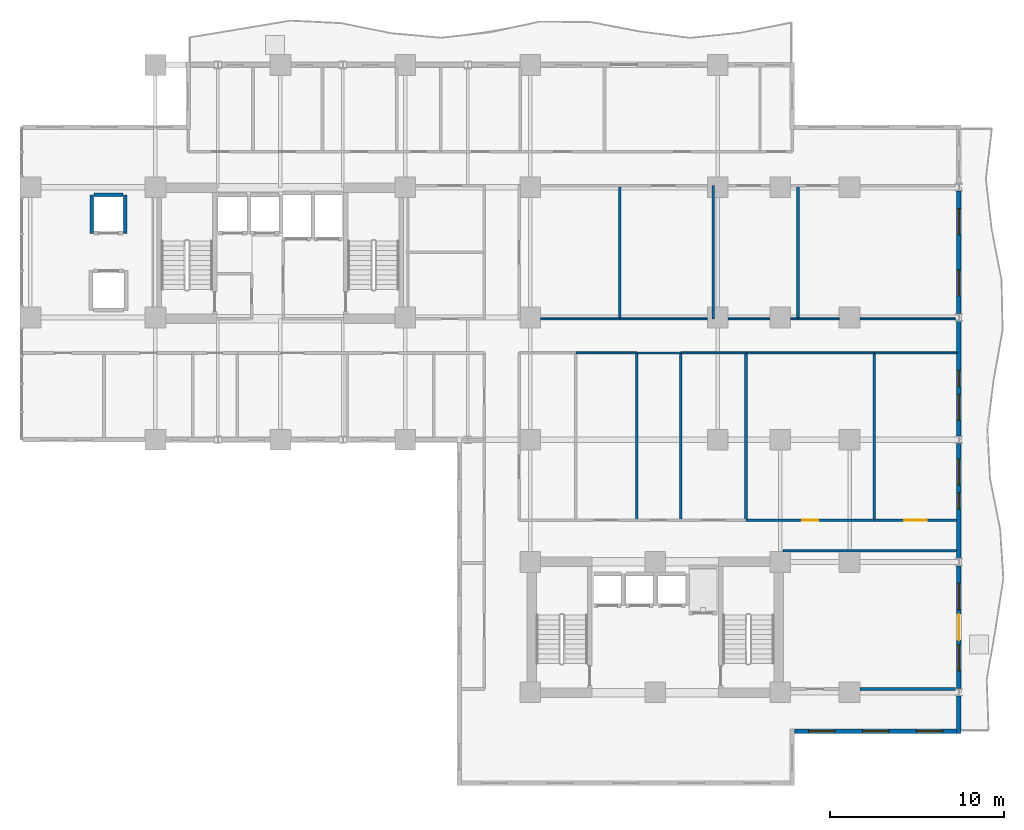
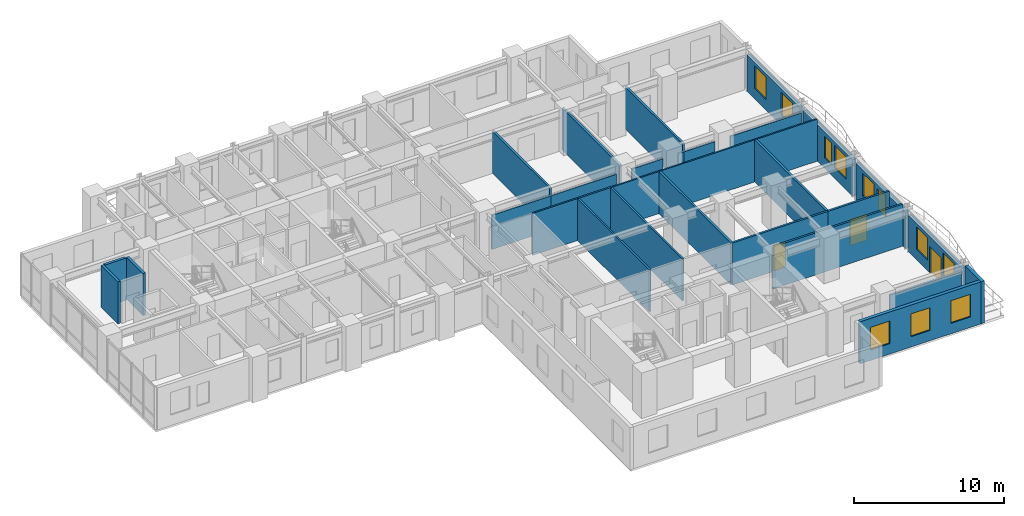
# One storey, part 11 of 18: 31 walls, 11 windows, 3 doors, 14 openings.
"""IFC4 building model written with IfcOpenShell, lengths in metres."""

from ifc_helpers import new_model, si_unit, direction, frame, frame_2d, origin, place, context, subcontext, project, spatial, rectangle, extrude, material, layer, layer_set, type_object, element, fill, save


model = new_model("IFC4")

# Units and contexts
model_context = context("Model", 3, precision=1e-05, world=origin(), true_north=direction((0.0, 1.0)))
body_context = subcontext(model_context, "Body", "Model", "MODEL_VIEW")
ifc_project = project(units=[si_unit("LENGTHUNIT", "METRE"), si_unit("AREAUNIT", "SQUARE_METRE"), si_unit("VOLUMEUNIT", "CUBIC_METRE"), si_unit("PLANEANGLEUNIT", "RADIAN"), si_unit("MASSUNIT", "GRAM", prefix="KILO")], contexts=[model_context])

# Site, building, storey
site_placement = place(None, origin())
site = spatial("IfcSite", under=ifc_project, at=site_placement, CompositionType="ELEMENT")
building_placement = place(site_placement, origin())
building = spatial("IfcBuilding", under=site, at=building_placement, Name="Kaliganga Portal Commons", CompositionType="ELEMENT")
storey_placement = place(building_placement, frame((0.0, 0.0, 123.0)))
storey = spatial("IfcBuildingStorey", under=building, at=storey_placement, Name="L31", CompositionType="ELEMENT", Elevation=123.0)

# Wall, openings, windows
ifc_material_1 = material(Name="Insulated Aluminium-Clad Spandrel Assembly", Category="aluminium")
ifc_layer_1 = layer(ifc_material_1, 0.260009765625)
ifc_layer_set_1 = layer_set([ifc_layer_1], Name="Insulated Aluminium-Clad Spandrel Assembly")
wall_type_1 = type_object("IfcWallType", Name="WL-EXT-SPAND-260", PredefinedType="STANDARD", material=ifc_layer_set_1)
wall_1_placement = place(storey_placement, frame((60.56494140625, 4.800048828125, 0.0), z_axis=(0.0, 0.0, 1.0), x_axis=(-1.0, 0.0, 0.0)))
wall_1 = element("IfcWall", 1, at=wall_1_placement, inside=storey, type_object=wall_type_1, Name="Exterior Envelope Wall L31 P1-E02-S1", PredefinedType="STANDARD", context=body_context, shape_type="SweptSolid", body=[
    extrude(rectangle(XDim=9.329833984375, YDim=0.260009765625, at=frame_2d((4.6650390625, 0.0))), origin(), (0.0, 0.0, 1.0), 3.429931640625),
])
opening_1_placement = place(wall_1_placement, frame((0.804931640625, 0.0, 0.85009765625)))
opening_1 = element("IfcOpeningElement", 2, at=opening_1_placement, cuts=wall_1, Name="Opening W-02", PredefinedType="OPENING", context=body_context, shape_type="SweptSolid", body=[
    extrude(rectangle(XDim=1.5, YDim=1.85009765625, at=frame_2d((0.75, 0.925048828125))), frame((0.0, 0.14013671875, 0.0), z_axis=(0.0, -1.0, 0.0), x_axis=(1.0, 0.0, 0.0)), (0.0, 0.0, 1.0), 0.280029296875),
])
opening_2_placement = place(wall_1_placement, frame((3.9150390625, 0.0, 0.85009765625)))
opening_2 = element("IfcOpeningElement", 3, at=opening_2_placement, cuts=wall_1, Name="Opening W-02", PredefinedType="OPENING", context=body_context, shape_type="SweptSolid", body=[
    extrude(rectangle(XDim=1.5, YDim=1.85009765625, at=frame_2d((0.75, 0.925048828125))), frame((0.0, 0.14013671875, 0.0), z_axis=(0.0, -1.0, 0.0), x_axis=(1.0, 0.0, 0.0)), (0.0, 0.0, 1.0), 0.280029296875),
])
opening_3_placement = place(wall_1_placement, frame((7.02490234375, 0.0, 0.85009765625)))
opening_3 = element("IfcOpeningElement", 4, at=opening_3_placement, cuts=wall_1, Name="Opening W-02", PredefinedType="OPENING", context=body_context, shape_type="SweptSolid", body=[
    extrude(rectangle(XDim=1.5, YDim=1.85009765625, at=frame_2d((0.75, 0.925048828125))), frame((0.0, 0.14013671875, 0.0), z_axis=(0.0, -1.0, 0.0), x_axis=(1.0, 0.0, 0.0)), (0.0, 0.0, 1.0), 0.280029296875),
])
ifc_material_2 = material(Name="Thermally Broken Aluminium and Low-E Double Glazing", Category="aluminium")
window_type_1 = type_object("IfcWindowType", Name="WIN-STD-1500", PartitioningType="DOUBLE_PANEL_VERTICAL", PredefinedType="WINDOW", material=ifc_material_2)
window_1_placement = place(opening_1_placement, origin())
window_1 = element("IfcWindow", 5, at=window_1_placement, inside=storey, type_object=window_type_1, Name="Facade Window L31-P1E02S1-00", OverallHeight=1.85009765625, OverallWidth=1.5, PartitioningType="SINGLE_PANEL", PredefinedType="WINDOW", context=body_context, shape_type="SweptSolid", body=[
    extrude(rectangle(XDim=1.5, YDim=1.85009765625, at=frame_2d((0.75, 0.925048828125))), frame((0.0, 0.030029296875, 0.0), z_axis=(0.0, -1.0, 0.0), x_axis=(1.0, 0.0, 0.0)), (0.0, 0.0, 1.0), 0.06005859375),
])
fill(opening_1, window_1)
window_2_placement = place(opening_2_placement, origin())
window_2 = element("IfcWindow", 6, at=window_2_placement, inside=storey, type_object=window_type_1, Name="Facade Window L31-P1E02S1-01", OverallHeight=1.85009765625, OverallWidth=1.5, PartitioningType="SINGLE_PANEL", PredefinedType="WINDOW", context=body_context, shape_type="SweptSolid", body=[
    extrude(rectangle(XDim=1.5, YDim=1.85009765625, at=frame_2d((0.75, 0.925048828125))), frame((0.0, 0.030029296875, 0.0), z_axis=(0.0, -1.0, 0.0), x_axis=(1.0, 0.0, 0.0)), (0.0, 0.0, 1.0), 0.06005859375),
])
fill(opening_2, window_2)
window_3_placement = place(opening_3_placement, origin())
window_3 = element("IfcWindow", 7, at=window_3_placement, inside=storey, type_object=window_type_1, Name="Facade Window L31-P1E02S1-02", OverallHeight=1.85009765625, OverallWidth=1.5, PartitioningType="SINGLE_PANEL", PredefinedType="WINDOW", context=body_context, shape_type="SweptSolid", body=[
    extrude(rectangle(XDim=1.5, YDim=1.85009765625, at=frame_2d((0.75, 0.925048828125))), frame((0.0, 0.030029296875, 0.0), z_axis=(0.0, -1.0, 0.0), x_axis=(1.0, 0.0, 0.0)), (0.0, 0.0, 1.0), 0.06005859375),
])
fill(opening_3, window_3)

# Wall
wall_2_placement = place(storey_placement, frame((60.699951171875, 6.833984375, 0.0), z_axis=(0.0, 0.0, 1.0), x_axis=(0.0, -1.0, 0.0)))
element("IfcWall", 8, at=wall_2_placement, inside=storey, type_object=wall_type_1, Name="Exterior Envelope Wall L31 P1-E03-S1", PredefinedType="STANDARD", context=body_context, shape_type="SweptSolid", body=[
    extrude(rectangle(XDim=2.1640625, YDim=0.260009765625, at=frame_2d((1.08203125, 0.0))), origin(), (0.0, 0.0, 1.0), 3.429931640625),
])

# Wall, openings, door, windows
wall_3_placement = place(storey_placement, frame((60.699951171875, 14.333984375, 0.0), z_axis=(0.0, 0.0, 1.0), x_axis=(0.0, -1.0, 0.0)))
wall_3 = element("IfcWall", 9, at=wall_3_placement, inside=storey, type_object=wall_type_1, Name="Exterior Envelope Wall L31 P1-E03-S2", PredefinedType="STANDARD", context=body_context, shape_type="SweptSolid", body=[
    extrude(rectangle(XDim=7.06787109375, YDim=0.260009765625, at=frame_2d((3.533935546875, 0.0))), origin(), (0.0, 0.0, 1.0), 2.97998046875),
])
opening_4_placement = place(wall_3_placement, frame((2.783935546875, 0.0, 0.0)))
opening_4 = element("IfcOpeningElement", 10, at=opening_4_placement, cuts=wall_3, Name="Opening BD-01", PredefinedType="OPENING", context=body_context, shape_type="SweptSolid", body=[
    extrude(rectangle(XDim=1.5, YDim=2.14990234375, at=frame_2d((0.75, 1.074951171875))), frame((0.0, 0.14013671875, 0.0), z_axis=(0.0, -1.0, 0.0), x_axis=(1.0, 0.0, 0.0)), (0.0, 0.0, 1.0), 0.280029296875),
])
opening_5_placement = place(wall_3_placement, frame((1.01708984375, 0.0, 0.85009765625)))
opening_5 = element("IfcOpeningElement", 11, at=opening_5_placement, cuts=wall_3, Name="Opening W-02", PredefinedType="OPENING", context=body_context, shape_type="SweptSolid", body=[
    extrude(rectangle(XDim=1.5, YDim=1.85009765625, at=frame_2d((0.75, 0.925048828125))), frame((0.0, 0.14013671875, 0.0), z_axis=(0.0, -1.0, 0.0), x_axis=(1.0, 0.0, 0.0)), (0.0, 0.0, 1.0), 0.280029296875),
])
opening_6_placement = place(wall_3_placement, frame((4.551025390625, 0.0, 0.85009765625)))
opening_6 = element("IfcOpeningElement", 12, at=opening_6_placement, cuts=wall_3, Name="Opening W-02", PredefinedType="OPENING", context=body_context, shape_type="SweptSolid", body=[
    extrude(rectangle(XDim=1.5, YDim=1.85009765625, at=frame_2d((0.75, 0.925048828125))), frame((0.0, 0.14013671875, 0.0), z_axis=(0.0, -1.0, 0.0), x_axis=(1.0, 0.0, 0.0)), (0.0, 0.0, 1.0), 0.280029296875),
])
ifc_material_3 = material(Name="Anodized Aluminium and Laminated Safety Glass", Category="aluminium")
door_type_1 = type_object("IfcDoorType", Name="DR-BALC-1500", OperationType="SLIDING_TO_LEFT", PredefinedType="DOOR", material=ifc_material_3)
door_1_placement = place(opening_4_placement, origin())
door_1 = element("IfcDoor", 13, at=door_1_placement, inside=storey, type_object=door_type_1, Name="Balcony Sliding Door L31 balc_east", OperationType="SLIDING_TO_LEFT", OverallHeight=2.14990234375, OverallWidth=1.5, PredefinedType="DOOR", context=body_context, shape_type="SweptSolid", body=[
    extrude(rectangle(XDim=1.5, YDim=2.14990234375, at=frame_2d((0.75, 1.074951171875))), frame((0.0, 0.02490234375, 0.0), z_axis=(0.0, -1.0, 0.0), x_axis=(1.0, 0.0, 0.0)), (0.0, 0.0, 1.0), 0.050048828125),
])
fill(opening_4, door_1)
window_4_placement = place(opening_5_placement, origin())
window_4 = element("IfcWindow", 14, at=window_4_placement, inside=storey, type_object=window_type_1, Name="Facade Window L31-P1E03S2-00", OverallHeight=1.85009765625, OverallWidth=1.5, PartitioningType="SINGLE_PANEL", PredefinedType="WINDOW", context=body_context, shape_type="SweptSolid", body=[
    extrude(rectangle(XDim=1.5, YDim=1.85009765625, at=frame_2d((0.75, 0.925048828125))), frame((0.0, 0.030029296875, 0.0), z_axis=(0.0, -1.0, 0.0), x_axis=(1.0, 0.0, 0.0)), (0.0, 0.0, 1.0), 0.06005859375),
])
fill(opening_5, window_4)
window_5_placement = place(opening_6_placement, origin())
window_5 = element("IfcWindow", 15, at=window_5_placement, inside=storey, type_object=window_type_1, Name="Facade Window L31-P1E03S2-01", OverallHeight=1.85009765625, OverallWidth=1.5, PartitioningType="SINGLE_PANEL", PredefinedType="WINDOW", context=body_context, shape_type="SweptSolid", body=[
    extrude(rectangle(XDim=1.5, YDim=1.85009765625, at=frame_2d((0.75, 0.925048828125))), frame((0.0, 0.030029296875, 0.0), z_axis=(0.0, -1.0, 0.0), x_axis=(1.0, 0.0, 0.0)), (0.0, 0.0, 1.0), 0.06005859375),
])
fill(opening_6, window_5)

# Wall, openings, windows
wall_4_placement = place(storey_placement, frame((60.699951171875, 21.384033203125, 0.0), z_axis=(0.0, 0.0, 1.0), x_axis=(0.0, -1.0, 0.0)))
wall_4 = element("IfcWall", 16, at=wall_4_placement, inside=storey, type_object=wall_type_1, Name="Exterior Envelope Wall L31 P1-E03-S3", PredefinedType="STANDARD", context=body_context, shape_type="SweptSolid", body=[
    extrude(rectangle(XDim=6.617919921875, YDim=0.260009765625, at=frame_2d((3.30908203125, 0.0))), origin(), (0.0, 0.0, 1.0), 2.97998046875),
])
opening_7_placement = place(wall_4_placement, frame((0.904541015625, 0.0, 0.85009765625)))
opening_7 = element("IfcOpeningElement", 17, at=opening_7_placement, cuts=wall_4, Name="Opening W-02", PredefinedType="OPENING", context=body_context, shape_type="SweptSolid", body=[
    extrude(rectangle(XDim=1.5, YDim=1.85009765625, at=frame_2d((0.75, 0.925048828125))), frame((0.0, 0.14013671875, 0.0), z_axis=(0.0, -1.0, 0.0), x_axis=(1.0, 0.0, 0.0)), (0.0, 0.0, 1.0), 0.280029296875),
])
opening_8_placement = place(wall_4_placement, frame((2.833984375, 0.0, 0.85009765625)))
opening_8 = element("IfcOpeningElement", 18, at=opening_8_placement, cuts=wall_4, Name="Opening W-04", PredefinedType="OPENING", context=body_context, shape_type="SweptSolid", body=[
    extrude(rectangle(XDim=0.949951171875, YDim=1.75, at=frame_2d((0.47509765625, 0.875))), frame((0.0, 0.14013671875, 0.0), z_axis=(0.0, -1.0, 0.0), x_axis=(1.0, 0.0, 0.0)), (0.0, 0.0, 1.0), 0.280029296875),
])
window_type_2 = type_object("IfcWindowType", Name="WIN-NARROW-950", PartitioningType="SINGLE_PANEL", PredefinedType="WINDOW", material=ifc_material_2)
window_6_placement = place(opening_8_placement, origin())
window_6 = element("IfcWindow", 19, at=window_6_placement, inside=storey, type_object=window_type_2, Name="Facade Window L31-P1E03S3-N0", OverallHeight=1.75, OverallWidth=0.949951171875, PartitioningType="SINGLE_PANEL", PredefinedType="WINDOW", context=body_context, shape_type="SweptSolid", body=[
    extrude(rectangle(XDim=0.949951171875, YDim=1.75, at=frame_2d((0.47509765625, 0.875))), frame((0.0, 0.030029296875, 0.0), z_axis=(0.0, -1.0, 0.0), x_axis=(1.0, 0.0, 0.0)), (0.0, 0.0, 1.0), 0.06005859375),
])
fill(opening_8, window_6)
window_7_placement = place(opening_7_placement, origin())
window_7 = element("IfcWindow", 20, at=window_7_placement, inside=storey, type_object=window_type_1, Name="Facade Window L31-P1E03S3-00", OverallHeight=1.85009765625, OverallWidth=1.5, PartitioningType="SINGLE_PANEL", PredefinedType="WINDOW", context=body_context, shape_type="SweptSolid", body=[
    extrude(rectangle(XDim=1.5, YDim=1.85009765625, at=frame_2d((0.75, 0.925048828125))), frame((0.0, 0.030029296875, 0.0), z_axis=(0.0, -1.0, 0.0), x_axis=(1.0, 0.0, 0.0)), (0.0, 0.0, 1.0), 0.06005859375),
])
fill(opening_7, window_7)

wall_5_placement = place(storey_placement, frame((60.699951171875, 28.43408203125, 0.0), z_axis=(0.0, 0.0, 1.0), x_axis=(0.0, -1.0, 0.0)))
wall_5 = element("IfcWall", 21, at=wall_5_placement, inside=storey, type_object=wall_type_1, Name="Exterior Envelope Wall L31 P1-E03-S4", PredefinedType="STANDARD", context=body_context, shape_type="SweptSolid", body=[
    extrude(rectangle(XDim=6.6181640625, YDim=0.260009765625, at=frame_2d((3.30908203125, 0.0))), origin(), (0.0, 0.0, 1.0), 2.97998046875),
])
opening_9_placement = place(wall_5_placement, frame((4.21337890625, 0.0, 0.85009765625)))
opening_9 = element("IfcOpeningElement", 22, at=opening_9_placement, cuts=wall_5, Name="Opening W-02", PredefinedType="OPENING", context=body_context, shape_type="SweptSolid", body=[
    extrude(rectangle(XDim=1.5, YDim=1.85009765625, at=frame_2d((0.75, 0.925048828125))), frame((0.0, 0.14013671875, 0.0), z_axis=(0.0, -1.0, 0.0), x_axis=(1.0, 0.0, 0.0)), (0.0, 0.0, 1.0), 0.280029296875),
])
opening_10_placement = place(wall_5_placement, frame((2.833984375, 0.0, 0.85009765625)))
opening_10 = element("IfcOpeningElement", 23, at=opening_10_placement, cuts=wall_5, Name="Opening W-04", PredefinedType="OPENING", context=body_context, shape_type="SweptSolid", body=[
    extrude(rectangle(XDim=0.949951171875, YDim=1.75, at=frame_2d((0.47509765625, 0.875))), frame((0.0, 0.14013671875, 0.0), z_axis=(0.0, -1.0, 0.0), x_axis=(1.0, 0.0, 0.0)), (0.0, 0.0, 1.0), 0.280029296875),
])
window_8_placement = place(opening_10_placement, origin())
window_8 = element("IfcWindow", 24, at=window_8_placement, inside=storey, type_object=window_type_2, Name="Facade Window L31-P1E03S4-N0", OverallHeight=1.75, OverallWidth=0.949951171875, PartitioningType="SINGLE_PANEL", PredefinedType="WINDOW", context=body_context, shape_type="SweptSolid", body=[
    extrude(rectangle(XDim=0.949951171875, YDim=1.75, at=frame_2d((0.47509765625, 0.875))), frame((0.0, 0.030029296875, 0.0), z_axis=(0.0, -1.0, 0.0), x_axis=(1.0, 0.0, 0.0)), (0.0, 0.0, 1.0), 0.06005859375),
])
fill(opening_10, window_8)
window_9_placement = place(opening_9_placement, origin())
window_9 = element("IfcWindow", 25, at=window_9_placement, inside=storey, type_object=window_type_1, Name="Facade Window L31-P1E03S4-01", OverallHeight=1.85009765625, OverallWidth=1.5, PartitioningType="SINGLE_PANEL", PredefinedType="WINDOW", context=body_context, shape_type="SweptSolid", body=[
    extrude(rectangle(XDim=1.5, YDim=1.85009765625, at=frame_2d((0.75, 0.925048828125))), frame((0.0, 0.030029296875, 0.0), z_axis=(0.0, -1.0, 0.0), x_axis=(1.0, 0.0, 0.0)), (0.0, 0.0, 1.0), 0.06005859375),
])
fill(opening_9, window_9)

wall_6_placement = place(storey_placement, frame((60.699951171875, 35.93408203125, 0.0), z_axis=(0.0, 0.0, 1.0), x_axis=(0.0, -1.0, 0.0)))
wall_6 = element("IfcWall", 26, at=wall_6_placement, inside=storey, type_object=wall_type_1, Name="Exterior Envelope Wall L31 P1-E03-S5", PredefinedType="STANDARD", context=body_context, shape_type="SweptSolid", body=[
    extrude(rectangle(XDim=7.068115234375, YDim=0.260009765625, at=frame_2d((3.5341796875, 0.0))), origin(), (0.0, 0.0, 1.0), 2.97998046875),
])
opening_11_placement = place(wall_6_placement, frame((1.01708984375, 0.0, 0.85009765625)))
opening_11 = element("IfcOpeningElement", 27, at=opening_11_placement, cuts=wall_6, Name="Opening W-02", PredefinedType="OPENING", context=body_context, shape_type="SweptSolid", body=[
    extrude(rectangle(XDim=1.5, YDim=1.85009765625, at=frame_2d((0.75, 0.925048828125))), frame((0.0, 0.14013671875, 0.0), z_axis=(0.0, -1.0, 0.0), x_axis=(1.0, 0.0, 0.0)), (0.0, 0.0, 1.0), 0.280029296875),
])
opening_12_placement = place(wall_6_placement, frame((4.551025390625, 0.0, 0.85009765625)))
opening_12 = element("IfcOpeningElement", 28, at=opening_12_placement, cuts=wall_6, Name="Opening W-02", PredefinedType="OPENING", context=body_context, shape_type="SweptSolid", body=[
    extrude(rectangle(XDim=1.5, YDim=1.85009765625, at=frame_2d((0.75, 0.925048828125))), frame((0.0, 0.14013671875, 0.0), z_axis=(0.0, -1.0, 0.0), x_axis=(1.0, 0.0, 0.0)), (0.0, 0.0, 1.0), 0.280029296875),
])
window_10_placement = place(opening_11_placement, origin())
window_10 = element("IfcWindow", 29, at=window_10_placement, inside=storey, type_object=window_type_1, Name="Facade Window L31-P1E03S5-00", OverallHeight=1.85009765625, OverallWidth=1.5, PartitioningType="SINGLE_PANEL", PredefinedType="WINDOW", context=body_context, shape_type="SweptSolid", body=[
    extrude(rectangle(XDim=1.5, YDim=1.85009765625, at=frame_2d((0.75, 0.925048828125))), frame((0.0, 0.030029296875, 0.0), z_axis=(0.0, -1.0, 0.0), x_axis=(1.0, 0.0, 0.0)), (0.0, 0.0, 1.0), 0.06005859375),
])
fill(opening_11, window_10)
window_11_placement = place(opening_12_placement, origin())
window_11 = element("IfcWindow", 30, at=window_11_placement, inside=storey, type_object=window_type_1, Name="Facade Window L31-P1E03S5-01", OverallHeight=1.85009765625, OverallWidth=1.5, PartitioningType="SINGLE_PANEL", PredefinedType="WINDOW", context=body_context, shape_type="SweptSolid", body=[
    extrude(rectangle(XDim=1.5, YDim=1.85009765625, at=frame_2d((0.75, 0.925048828125))), frame((0.0, 0.030029296875, 0.0), z_axis=(0.0, -1.0, 0.0), x_axis=(1.0, 0.0, 0.0)), (0.0, 0.0, 1.0), 0.06005859375),
])
fill(opening_12, window_11)

# Walls
ifc_material_4 = material(Name="Fire-Rated Gypsum Board on Steel Stud", Category="steel")
ifc_layer_2 = layer(ifc_material_4, 0.14990234375)
ifc_layer_set_2 = layer_set([ifc_layer_2], Name="Fire-Rated Gypsum Board on Steel Stud")
wall_type_2 = type_object("IfcWallType", Name="WL-PART-CORR-150", PredefinedType="PARTITIONING", material=ifc_layer_set_2)
wall_7_placement = place(storey_placement, frame((55.0, 7.239990234375, 0.0), z_axis=(0.0, 0.0, 1.0), x_axis=(1.0, 0.0, 0.0)))
element("IfcWall", 31, at=wall_7_placement, inside=storey, type_object=wall_type_2, Name="Interior Partition L31-002", PredefinedType="PARTITIONING", context=body_context, shape_type="SweptSolid", body=[
    extrude(rectangle(XDim=5.49560546875, YDim=0.14990234375, at=frame_2d((2.747802734375, 0.0))), origin(), (0.0, 0.0, 1.0), 2.780029296875),
])
wall_8_placement = place(storey_placement, frame((50.56005859375, 15.199951171875, 0.0), z_axis=(0.0, 0.0, 1.0), x_axis=(1.0, 0.0, 0.0)))
element("IfcWall", 32, at=wall_8_placement, inside=storey, type_object=wall_type_2, Name="Interior Partition L31-003", PredefinedType="PARTITIONING", context=body_context, shape_type="SweptSolid", body=[
    extrude(rectangle(XDim=10.008056640625, YDim=0.14990234375, at=frame_2d((5.00390625, 0.0))), origin(), (0.0, 0.0, 1.0), 3.429931640625),
])

# Wall, opening, door
wall_9_placement = place(storey_placement, frame((48.43994140625, 16.9599609375, 0.0), z_axis=(0.0, 0.0, 1.0), x_axis=(1.0, 0.0, 0.0)))
wall_9 = element("IfcWall", 33, at=wall_9_placement, inside=storey, type_object=wall_type_2, Name="Interior Partition L31-009", PredefinedType="PARTITIONING", context=body_context, shape_type="SweptSolid", body=[
    extrude(rectangle(XDim=7.380126953125, YDim=0.14990234375, at=frame_2d((3.68994140625, 0.0))), origin(), (0.0, 0.0, 1.0), 3.429931640625),
])
opening_13_placement = place(wall_9_placement, frame((3.239990234375, 0.0, 0.0)))
opening_13 = element("IfcOpeningElement", 34, at=opening_13_placement, cuts=wall_9, Name="Opening RD-01", PredefinedType="OPENING", context=body_context, shape_type="SweptSolid", body=[
    extrude(rectangle(XDim=0.89990234375, YDim=2.080078125, at=frame_2d((0.449951171875, 1.0400390625))), frame((0.0, 0.0849609375, 0.0), z_axis=(0.0, -1.0, 0.0), x_axis=(1.0, 0.0, 0.0)), (0.0, 0.0, 1.0), 0.169921875),
])
ifc_material_5 = material(Name="Engineered Timber Flush Door", Category="wood")
door_type_2 = type_object("IfcDoorType", Name="DR-ROOM-900", OperationType="NOTDEFINED", PredefinedType="DOOR", material=ifc_material_5)
door_2_placement = place(opening_13_placement, origin())
door_2 = element("IfcDoor", 35, at=door_2_placement, inside=storey, type_object=door_type_2, Name="Interior Door L31-BM05", OperationType="SINGLE_SWING_RIGHT", OverallHeight=2.080078125, OverallWidth=0.89990234375, PredefinedType="DOOR", context=body_context, shape_type="SweptSolid", body=[
    extrude(rectangle(XDim=0.89990234375, YDim=2.080078125, at=frame_2d((0.449951171875, 1.0400390625))), frame((0.0, 0.02490234375, 0.0), z_axis=(0.0, -1.0, 0.0), x_axis=(1.0, 0.0, 0.0)), (0.0, 0.0, 1.0), 0.050048828125),
])
fill(opening_13, door_2)

wall_10_placement = place(storey_placement, frame((55.820068359375, 16.9599609375, 0.0), z_axis=(0.0, 0.0, 1.0), x_axis=(1.0, 0.0, 0.0)))
wall_10 = element("IfcWall", 36, at=wall_10_placement, inside=storey, type_object=wall_type_2, Name="Interior Partition L31-018", PredefinedType="PARTITIONING", context=body_context, shape_type="SweptSolid", body=[
    extrude(rectangle(XDim=4.748046875, YDim=0.14990234375, at=frame_2d((2.3740234375, 0.0))), origin(), (0.0, 0.0, 1.0), 3.429931640625),
])
opening_14_placement = place(wall_10_placement, frame((1.72412109375, 0.0, 0.0)))
opening_14 = element("IfcOpeningElement", 37, at=opening_14_placement, cuts=wall_10, Name="Opening RD-03", PredefinedType="OPENING", context=body_context, shape_type="SweptSolid", body=[
    extrude(rectangle(XDim=1.300048828125, YDim=2.1201171875, at=frame_2d((0.64990234375, 1.06005859375))), frame((0.0, 0.0849609375, 0.0), z_axis=(0.0, -1.0, 0.0), x_axis=(1.0, 0.0, 0.0)), (0.0, 0.0, 1.0), 0.169921875),
])
ifc_material_6 = material(Name="Glazed Timber Seminar Vision Door", Category="wood")
door_type_3 = type_object("IfcDoorType", Name="DR-STUDY-1300", OperationType="DOUBLE_DOOR_SINGLE_SWING", PredefinedType="DOOR", material=ifc_material_6)
door_3_placement = place(opening_14_placement, origin())
door_3 = element("IfcDoor", 38, at=door_3_placement, inside=storey, type_object=door_type_3, Name="Interior Door L31-BM06", OperationType="DOUBLE_DOOR_SINGLE_SWING", OverallHeight=2.1201171875, OverallWidth=1.300048828125, PredefinedType="DOOR", context=body_context, shape_type="SweptSolid", body=[
    extrude(rectangle(XDim=1.300048828125, YDim=2.1201171875, at=frame_2d((0.64990234375, 1.06005859375))), frame((0.0, 0.02490234375, 0.0), z_axis=(0.0, -1.0, 0.0), x_axis=(1.0, 0.0, 0.0)), (0.0, 0.0, 1.0), 0.050048828125),
])
fill(opening_14, door_3)

# Walls
ifc_material_7 = material(Name="Moisture-Resistant Gypsum Partition", Category="gypsum")
ifc_layer_3 = layer(ifc_material_7, 0.114990234375)
ifc_layer_set_3 = layer_set([ifc_layer_3], Name="Moisture-Resistant Gypsum Partition")
wall_type_3 = type_object("IfcWallType", Name="WL-PART-ROOM-115", PredefinedType="PARTITIONING", material=ifc_layer_set_3)
wall_11_placement = place(storey_placement, frame((51.419921875, 28.56005859375, 0.0), z_axis=(0.0, 0.0, 1.0), x_axis=(1.0, 0.0, 0.0)))
element("IfcWall", 39, at=wall_11_placement, inside=storey, type_object=wall_type_3, Name="Interior Partition L31-048", PredefinedType="PARTITIONING", context=body_context, shape_type="SweptSolid", body=[
    extrude(rectangle(XDim=2.380126953125, YDim=0.114990234375, at=frame_2d((1.18994140625, 0.0))), origin(), (0.0, 0.0, 1.0), 2.780029296875),
])
wall_12_placement = place(storey_placement, frame((55.0, 28.56005859375, 0.0), z_axis=(0.0, 0.0, 1.0), x_axis=(1.0, 0.0, 0.0)))
element("IfcWall", 40, at=wall_12_placement, inside=storey, type_object=wall_type_3, Name="Interior Partition L31-049", PredefinedType="PARTITIONING", context=body_context, shape_type="SweptSolid", body=[
    extrude(rectangle(XDim=5.49560546875, YDim=0.114990234375, at=frame_2d((2.747802734375, 0.0))), origin(), (0.0, 0.0, 1.0), 2.780029296875),
])
wall_13_placement = place(storey_placement, frame((48.43994140625, 26.60009765625, 0.0), z_axis=(0.0, 0.0, 1.0), x_axis=(1.0, 0.0, 0.0)))
element("IfcWall", 41, at=wall_13_placement, inside=storey, type_object=wall_type_3, Name="Interior Partition L31-053", PredefinedType="PARTITIONING", context=body_context, shape_type="SweptSolid", body=[
    extrude(rectangle(XDim=7.380126953125, YDim=0.114990234375, at=frame_2d((3.68994140625, 0.0))), origin(), (0.0, 0.0, 1.0), 3.429931640625),
])
wall_14_placement = place(storey_placement, frame((36.60009765625, 28.56005859375, 0.0), z_axis=(0.0, 0.0, 1.0), x_axis=(1.0, 0.0, 0.0)))
element("IfcWall", 42, at=wall_14_placement, inside=storey, type_object=wall_type_3, Name="Interior Partition L31-054", PredefinedType="PARTITIONING", context=body_context, shape_type="SweptSolid", body=[
    extrude(rectangle(XDim=4.559814453125, YDim=0.114990234375, at=frame_2d((2.27978515625, 0.0))), origin(), (0.0, 0.0, 1.0), 2.780029296875),
])
wall_15_placement = place(storey_placement, frame((41.159912109375, 28.56005859375, 0.0), z_axis=(0.0, 0.0, 1.0), x_axis=(1.0, 0.0, 0.0)))
element("IfcWall", 43, at=wall_15_placement, inside=storey, type_object=wall_type_3, Name="Interior Partition L31-055", PredefinedType="PARTITIONING", context=body_context, shape_type="SweptSolid", body=[
    extrude(rectangle(XDim=5.0400390625, YDim=0.114990234375, at=frame_2d((2.52001953125, 0.0))), origin(), (0.0, 0.0, 1.0), 2.780029296875),
])
wall_16_placement = place(storey_placement, frame((55.820068359375, 26.60009765625, 0.0), z_axis=(0.0, 0.0, 1.0), x_axis=(1.0, 0.0, 0.0)))
element("IfcWall", 44, at=wall_16_placement, inside=storey, type_object=wall_type_3, Name="Interior Partition L31-070", PredefinedType="PARTITIONING", context=body_context, shape_type="SweptSolid", body=[
    extrude(rectangle(XDim=4.748046875, YDim=0.114990234375, at=frame_2d((2.3740234375, 0.0))), origin(), (0.0, 0.0, 1.0), 3.429931640625),
])
wall_17_placement = place(storey_placement, frame((47.39990234375, 28.56005859375, 0.0), z_axis=(0.0, 0.0, 1.0), x_axis=(1.0, 0.0, 0.0)))
element("IfcWall", 45, at=wall_17_placement, inside=storey, type_object=wall_type_3, Name="Interior Partition L31-071", PredefinedType="PARTITIONING", context=body_context, shape_type="SweptSolid", body=[
    extrude(rectangle(XDim=2.400146484375, YDim=0.114990234375, at=frame_2d((1.2001953125, 0.0))), origin(), (0.0, 0.0, 1.0), 2.780029296875),
])
wall_18_placement = place(storey_placement, frame((51.0, 28.56005859375, 0.0), z_axis=(0.0, 0.0, 1.0), x_axis=(1.0, 0.0, 0.0)))
element("IfcWall", 46, at=wall_18_placement, inside=storey, type_object=wall_type_3, Name="Interior Partition L31-072", PredefinedType="PARTITIONING", context=body_context, shape_type="SweptSolid", body=[
    extrude(rectangle(XDim=0.419921875, YDim=0.114990234375, at=frame_2d((0.2099609375, 0.0))), origin(), (0.0, 0.0, 1.0), 2.780029296875),
])
wall_19_placement = place(storey_placement, frame((44.679931640625, 26.60009765625, 0.0), z_axis=(0.0, 0.0, 1.0), x_axis=(1.0, 0.0, 0.0)))
element("IfcWall", 47, at=wall_19_placement, inside=storey, type_object=wall_type_3, Name="Interior Partition L31-075", PredefinedType="PARTITIONING", context=body_context, shape_type="SweptSolid", body=[
    extrude(rectangle(XDim=3.760009765625, YDim=0.114990234375, at=frame_2d((1.8798828125, 0.0))), origin(), (0.0, 0.0, 1.0), 3.429931640625),
])
wall_20_placement = place(storey_placement, frame((38.6201171875, 26.60009765625, 0.0), z_axis=(0.0, 0.0, 1.0), x_axis=(1.0, 0.0, 0.0)))
element("IfcWall", 48, at=wall_20_placement, inside=storey, type_object=wall_type_3, Name="Interior Partition L31-076", PredefinedType="PARTITIONING", context=body_context, shape_type="SweptSolid", body=[
    extrude(rectangle(XDim=3.519775390625, YDim=0.114990234375, at=frame_2d((1.759765625, 0.0))), origin(), (0.0, 0.0, 1.0), 3.429931640625),
])
ifc_material_8 = material(Name="Twin-Stud Acoustic Gypsum Partition", Category="gypsum")
ifc_layer_4 = layer(ifc_material_8, 0.1650390625)
ifc_layer_set_4 = layer_set([ifc_layer_4], Name="Twin-Stud Acoustic Gypsum Partition")
wall_type_4 = type_object("IfcWallType", Name="WL-PART-UNIT-165", PredefinedType="PARTITIONING", material=ifc_layer_set_4)
for number, where, z_axis, x_axis, name in (
    (49, (48.43994140625, 16.9599609375, 0.0), (0.0, 0.0, 1.0), (0.0, 1.0, 0.0), "Interior Partition L31-046"),
    (50, (55.820068359375, 16.9599609375, 0.0), (0.0, 0.0, 1.0), (0.0, 1.0, 0.0), "Interior Partition L31-047"),
):
    element("IfcWall", number, at=place(storey_placement, frame(where, z_axis=z_axis, x_axis=x_axis)), inside=storey, type_object=wall_type_4, Name=name, PredefinedType="PARTITIONING", context=body_context, shape_type="SweptSolid", body=[
        extrude(rectangle(XDim=9.64013671875, YDim=0.1650390625, at=frame_2d((4.820068359375, 0.0))), origin(), (0.0, 0.0, 1.0), 3.429931640625),
    ])
for number, where, z_axis, x_axis, name in (
    (51, (41.159912109375, 28.56005859375, 0.0), (0.0, 0.0, 1.0), (0.0, 1.0, 0.0), "Interior Partition L31-050"),
    (52, (46.5400390625, 28.56005859375, 0.0), (0.0, 0.0, 1.0), (0.0, 1.0, 0.0), "Interior Partition L31-051"),
    (53, (51.419921875, 28.56005859375, 0.0), (0.0, 0.0, 1.0), (0.0, 1.0, 0.0), "Interior Partition L31-052"),
):
    element("IfcWall", number, at=place(storey_placement, frame(where, z_axis=z_axis, x_axis=x_axis)), inside=storey, type_object=wall_type_4, Name=name, PredefinedType="PARTITIONING", context=body_context, shape_type="SweptSolid", body=[
        extrude(rectangle(XDim=7.679931640625, YDim=0.1650390625, at=frame_2d((3.83984375, 0.0))), origin(), (0.0, 0.0, 1.0), 3.429931640625),
    ])
ifc_material_9 = material(Name="Cement-Board Wet-Room Partition", Category="gypsum")
ifc_layer_5 = layer(ifc_material_9, 0.135009765625)
ifc_layer_set_5 = layer_set([ifc_layer_5], Name="Cement-Board Wet-Room Partition")
wall_type_5 = type_object("IfcWallType", Name="WL-PART-WET-135", PredefinedType="PARTITIONING", material=ifc_layer_set_5)
for number, where, z_axis, x_axis, name in (
    (54, (42.139892578125, 16.9599609375, 0.0), (0.0, 0.0, 1.0), (0.0, 1.0, 0.0), "Interior Partition L31-044"),
    (55, (44.679931640625, 16.9599609375, 0.0), (0.0, 0.0, 1.0), (0.0, 1.0, 0.0), "Interior Partition L31-045"),
):
    element("IfcWall", number, at=place(storey_placement, frame(where, z_axis=z_axis, x_axis=x_axis)), inside=storey, type_object=wall_type_5, Name=name, PredefinedType="PARTITIONING", context=body_context, shape_type="SweptSolid", body=[
        extrude(rectangle(XDim=9.64013671875, YDim=0.135009765625, at=frame_2d((4.820068359375, 0.0))), origin(), (0.0, 0.0, 1.0), 3.429931640625),
    ])
wall_21_placement = place(storey_placement, frame((42.139892578125, 26.60009765625, 0.0), z_axis=(0.0, 0.0, 1.0), x_axis=(1.0, 0.0, 0.0)))
element("IfcWall", 56, at=wall_21_placement, inside=storey, type_object=wall_type_5, Name="Interior Partition L31-079", PredefinedType="PARTITIONING", context=body_context, shape_type="SweptSolid", body=[
    extrude(rectangle(XDim=2.5400390625, YDim=0.135009765625, at=frame_2d((1.27001953125, 0.0))), origin(), (0.0, 0.0, 1.0), 3.429931640625),
])
ifc_material_10 = material(Name="Fire-Rated Shaftwall Masonry Assembly", Category="masonry")
ifc_layer_6 = layer(ifc_material_10, 0.199951171875)
ifc_layer_set_6 = layer_set([ifc_layer_6], Name="Fire-Rated Shaftwall Masonry Assembly")
wall_type_6 = type_object("IfcWallType", Name="WL-SHAFT-200", PredefinedType="PARTITIONING", material=ifc_layer_set_6)
wall_22_placement = place(storey_placement, frame((10.875, 35.715087890625, 0.0), z_axis=(0.0, 0.0, 1.0), x_axis=(1.0, 0.0, 0.0)))
element("IfcWall", 57, at=wall_22_placement, inside=storey, type_object=wall_type_6, Name="Lift PL-OBS Hoistway Shaft Wall L31-N", PredefinedType="PARTITIONING", context=body_context, shape_type="SweptSolid", body=[
    extrude(rectangle(XDim=1.64990234375, YDim=0.199951171875, at=frame_2d((0.824951171875, 0.0))), origin(), (0.0, 0.0, 1.0), 3.429931640625),
])
for number, where, z_axis, x_axis, name in (
    (58, (10.735107421875, 33.485107421875, 0.0), (0.0, 0.0, 1.0), (0.0, 1.0, 0.0), "Lift PL-OBS Hoistway Shaft Wall L31-W"),
    (59, (12.6650390625, 33.485107421875, 0.0), (0.0, 0.0, 1.0), (0.0, 1.0, 0.0), "Lift PL-OBS Hoistway Shaft Wall L31-E"),
):
    element("IfcWall", number, at=place(storey_placement, frame(where, z_axis=z_axis, x_axis=x_axis)), inside=storey, type_object=wall_type_6, Name=name, PredefinedType="PARTITIONING", context=body_context, shape_type="SweptSolid", body=[
        extrude(rectangle(XDim=2.22998046875, YDim=0.199951171875, at=frame_2d((1.114990234375, 0.0))), origin(), (0.0, 0.0, 1.0), 3.429931640625),
    ])

save(model, "model.ifc")
